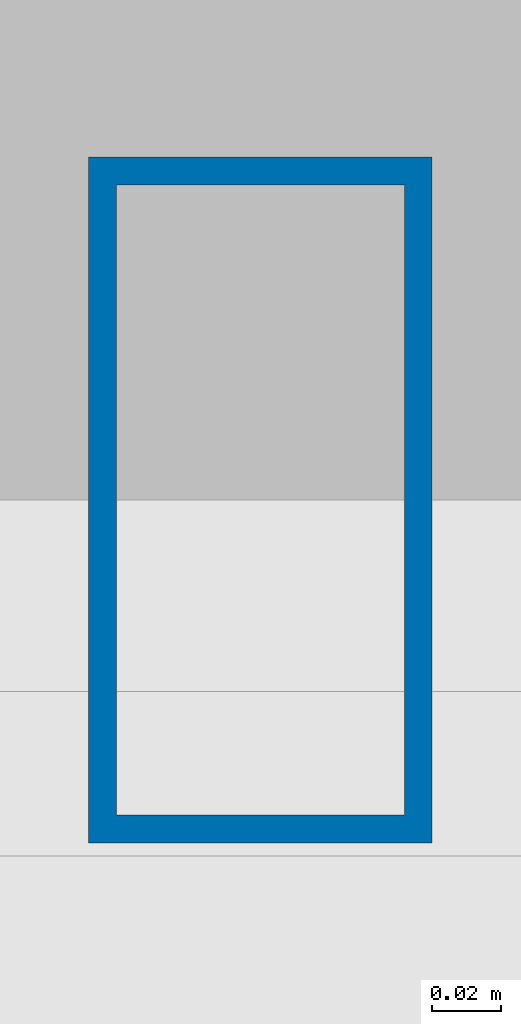
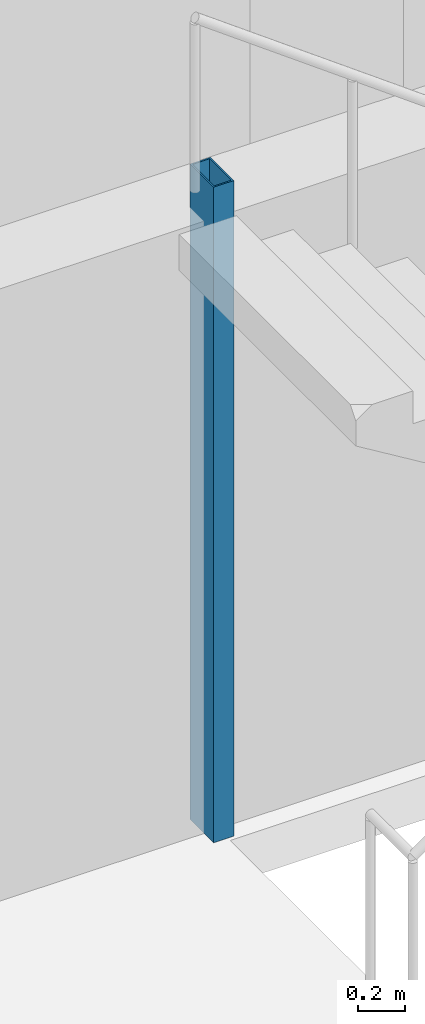
# One storey, part 2 of 21: 1 column.
"""IFC4 building model written with IfcOpenShell, lengths in metres."""

from ifc_helpers import new_model, si_unit, direction, frame, origin, origin_2d, place, context, subcontext, project, spatial, hollow_rectangle, extrude, material, material_profile, profile_set, type_object, element, save


model = new_model("IFC4")

# Units and contexts
model_context = context("Model", 3, precision=1e-05, world=origin(), true_north=direction((0.0, 1.0)))
body_context = subcontext(model_context, "Body", "Model", "MODEL_VIEW")
ifc_project = project(units=[si_unit("LENGTHUNIT", "METRE"), si_unit("AREAUNIT", "SQUARE_METRE"), si_unit("VOLUMEUNIT", "CUBIC_METRE"), si_unit("PLANEANGLEUNIT", "RADIAN"), si_unit("MASSUNIT", "GRAM", prefix="KILO")], contexts=[model_context])

# Site, building, storey
site_placement = place(None, origin())
site = spatial("IfcSite", under=ifc_project, at=site_placement, CompositionType="ELEMENT")
building_placement = place(site_placement, origin())
building = spatial("IfcBuilding", under=site, at=building_placement, Name="Menara Jurai Vektor", CompositionType="ELEMENT")
storey_placement = place(building_placement, frame((0.0, 0.0, 165.0)))
storey = spatial("IfcBuildingStorey", under=building, at=storey_placement, Name="L42", CompositionType="ELEMENT", Elevation=165.0)

# Column
ifc_material = material(Name="Steel S355", Category="steel")
ifc_material_profile = material_profile(ifc_material, hollow_rectangle(XDim=0.10009765625, YDim=0.199951171875, WallThickness=0.008056640625, at=origin_2d()), Name="RHS 200x100x8")
ifc_profile_set = profile_set([ifc_material_profile], Name="Steel S355")
column_type = type_object("IfcColumnType", Name="STR-COL-STAIR", PredefinedType="COLUMN", material=ifc_profile_set)
column_placement = place(storey_placement, frame((-11.1201171875, 5.419921875, 0.0), z_axis=(0.0, 0.0, 1.0), x_axis=(1.0, 0.0, 0.0)))
element("IfcColumn", 1, at=column_placement, inside=storey, type_object=column_type, Name="Stair Well Header Column ST1-P2 L42", PredefinedType="COLUMN", context=body_context, shape_type="SweptSolid", body=[
    extrude(hollow_rectangle(XDim=0.10009765625, YDim=0.199951171875, WallThickness=0.008056640625, at=origin_2d()), origin(), (0.0, 0.0, 1.0), 3.39990234375),
])

save(model, "model.ifc")
